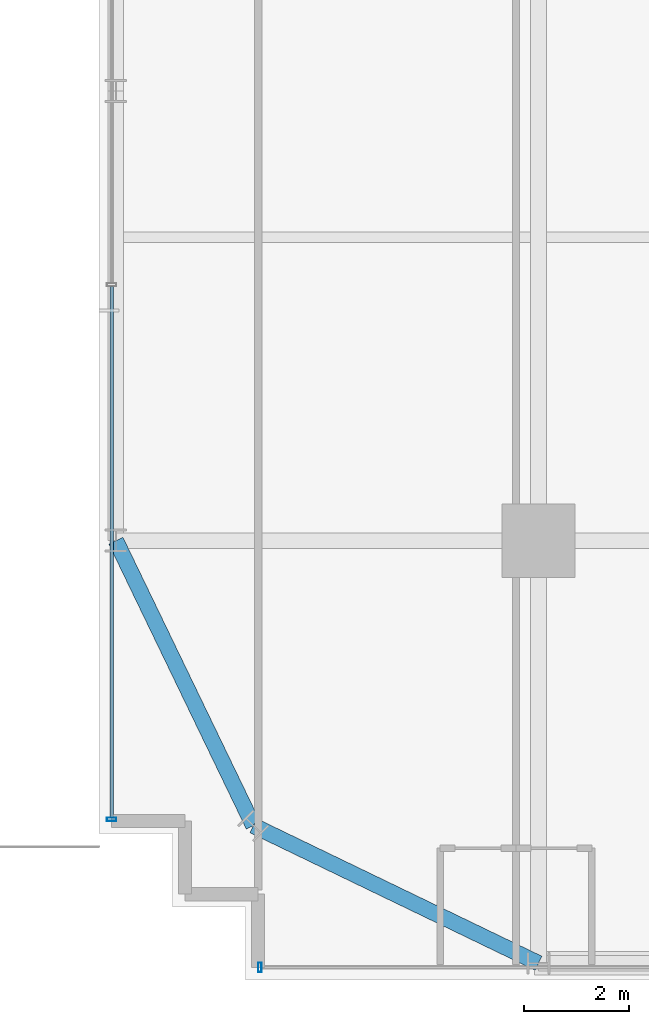
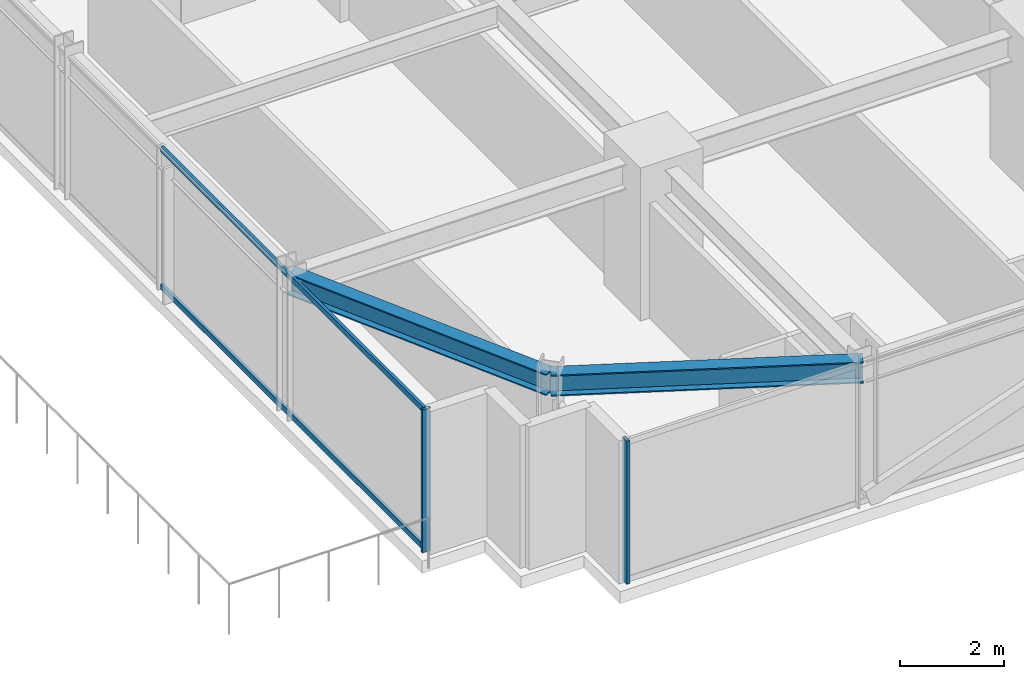
# One storey, part 3 of 39: 4 members, 2 beams, 2 elements without a shape of their own.
"""IFC4 building model written with IfcOpenShell, lengths in metres."""

from ifc_helpers import new_model, si_unit, direction, frame, origin, origin_2d, place, context, subcontext, project, spatial, hollow_rectangle, i_section, extrude, source, transform, mapped, material, material_profile, profile_set, type_object, element, aggregate, save


model = new_model("IFC4")

# Units and contexts
model_context = context("Model", 3, precision=1e-05, world=origin(), true_north=direction((0.0, 1.0)))
body_context = subcontext(model_context, "Body", "Model", "MODEL_VIEW")
ifc_project = project(units=[si_unit("LENGTHUNIT", "METRE"), si_unit("AREAUNIT", "SQUARE_METRE"), si_unit("VOLUMEUNIT", "CUBIC_METRE"), si_unit("PLANEANGLEUNIT", "RADIAN"), si_unit("MASSUNIT", "GRAM", prefix="KILO")], contexts=[model_context])

# Site, building, storey
site_placement = place(None, origin())
site = spatial("IfcSite", under=ifc_project, at=site_placement, CompositionType="ELEMENT")
building_placement = place(site_placement, origin())
building = spatial("IfcBuilding", under=site, at=building_placement, Name="Nahalor Promenade Grand Hotel", CompositionType="ELEMENT")
storey_placement = place(building_placement, frame((0.0, 0.0, 32.39990234375)))
storey = spatial("IfcBuildingStorey", under=building, at=storey_placement, Name="L06", CompositionType="ELEMENT", Elevation=32.39990234375)

# Beams
ifc_material_1 = material(Name="Steel S355JR", Category="steel")
ifc_material_profile_1 = material_profile(ifc_material_1, i_section(OverallWidth=0.3, OverallDepth=0.5, WebThickness=0.0145, FlangeThickness=0.028, at=origin_2d()), Name="HEB 500")
ifc_profile_set_1 = profile_set([ifc_material_profile_1], Name="Steel S355JR")
beam_type = type_object("IfcBeamType", Name="Beam-Spandrel-HEB500", PredefinedType="SPANDREL", material=ifc_profile_set_1)
shared_shape_1 = source(origin(), body_context, "Body", "SweptSolid", [
    extrude(i_section(OverallWidth=0.3, OverallDepth=0.5, WebThickness=0.0145, FlangeThickness=0.028, at=origin_2d()), origin(), (0.0, 0.0, 1.0), 6.051513671875),
])
for number, where, z_axis, x_axis, name in (
    (1, (-17.0, -25.080078125, 3.1201171875), (-0.900608818852, 0.434630596492, 0.0), (-0.434630596492, -0.900608818852, 0.0), "BM-L06-SPC-SW-1"),
    (2, (-22.449951171875, -22.449951171875, 3.1201171875), (-0.434630596492, 0.900608818852, 0.0), (-0.900608818852, -0.434630596492, 0.0), "BM-L06-SPC-SW-2"),
):
    element("IfcBeam", number, at=place(storey_placement, frame(where, z_axis=z_axis, x_axis=x_axis)), inside=storey, type_object=beam_type, Name=name, PredefinedType="SPANDREL", context=body_context, shape_type="MappedRepresentation", body=[
        mapped(shared_shape_1, transform((0.0, 0.0, 0.0), scale=1.0)),
    ])

# Curtain wall, member
ifc_material_2 = material(Name="Anodised Bronze Aluminium EN AW-6063 T6", Category="aluminium")
curtain_wall_type = type_object("IfcCurtainWallType", Name="CW2 Typical Hotel Flush Bronze Unitised Curtain Wall", PredefinedType="USERDEFINED", material=ifc_material_2)
curtain_wall_1_placement = place(storey_placement, origin())
curtain_wall_1 = element("IfcCurtainWall", 3, at=curtain_wall_1_placement, inside=storey, type_object=curtain_wall_type, Name="L06 Curtain Wall CW-L06-S-1", ObjectType="UNITISED_CURTAIN_WALL", PredefinedType="USERDEFINED")
ifc_material_profile_2 = material_profile(ifc_material_2, hollow_rectangle(XDim=0.065, YDim=0.18, WallThickness=0.004, at=origin_2d()), Name="CWM 65x180x4")
ifc_profile_set_2 = profile_set([ifc_material_profile_2], Name="Anodised Bronze Aluminium EN AW-6063 T6")
member_type_1 = type_object("IfcMemberType", Name="CWM2 Typical Bronze Mullion 65x180", PredefinedType="MULLION", material=ifc_profile_set_2)
shared_shape_2 = source(origin(), body_context, "Body", "SweptSolid", [
    extrude(hollow_rectangle(XDim=0.065, YDim=0.18, WallThickness=0.004, at=origin_2d()), origin(), (0.0, 0.0, 1.0), 3.3701171875),
])
member_1_placement = place(storey_placement, frame((-22.327392578125, -25.159912109375, 0.0), z_axis=(0.0, 0.0, 1.0), x_axis=(1.0, 0.0, 0.0)))
member_1 = element("IfcMember", 4, at=member_1_placement, type_object=member_type_1, Name="CW-L06-S-1 Mullion 0", PredefinedType="MULLION", context=body_context, shape_type="MappedRepresentation", body=[
    mapped(shared_shape_2, transform((0.0, 0.0, 0.0), scale=1.0)),
])
aggregate(curtain_wall_1, [member_1])

# Curtain wall, members
curtain_wall_2_placement = place(storey_placement, origin())
curtain_wall_2 = element("IfcCurtainWall", 5, at=curtain_wall_2_placement, inside=storey, type_object=curtain_wall_type, Name="L06 Curtain Wall CW-L06-W-1", ObjectType="UNITISED_CURTAIN_WALL", PredefinedType="USERDEFINED")
member_2_placement = place(storey_placement, frame((-25.159912109375, -22.327392578125, 0.0), z_axis=(0.0, 0.0, 1.0), x_axis=(0.0, 1.0, 0.0)))
member_2 = element("IfcMember", 6, at=member_2_placement, type_object=member_type_1, Name="CW-L06-W-1 Mullion 0", PredefinedType="MULLION", context=body_context, shape_type="MappedRepresentation", body=[
    mapped(shared_shape_2, transform((0.0, 0.0, 0.0), scale=1.0)),
])
ifc_material_profile_3 = material_profile(ifc_material_2, hollow_rectangle(XDim=0.065, YDim=0.13, WallThickness=0.004, at=origin_2d()), Name="CWT 65x130x4")
ifc_profile_set_3 = profile_set([ifc_material_profile_3], Name="Anodised Bronze Aluminium EN AW-6063 T6")
member_type_2 = type_object("IfcMemberType", Name="CWT2 Typical Bronze Transom 65x130", PredefinedType="USERDEFINED", material=ifc_profile_set_3)
shared_shape_3 = source(origin(), body_context, "Body", "SweptSolid", [
    extrude(hollow_rectangle(XDim=0.065, YDim=0.13, WallThickness=0.004, at=origin_2d()), origin(), (0.0, 0.0, 1.0), 10.15576171875),
])
member_3_placement = place(storey_placement, frame((-25.159912109375, -22.294921875, 0.065185546875), z_axis=(0.0, 1.0, 0.0), x_axis=(-1.0, 0.0, 0.0)))
member_3 = element("IfcMember", 7, at=member_3_placement, type_object=member_type_2, Name="CW-L06-W-1 Transom 0-0", ObjectType="TRANSOM", PredefinedType="USERDEFINED", context=body_context, shape_type="MappedRepresentation", body=[
    mapped(shared_shape_3, transform((0.0, 0.0, 0.0), scale=1.0)),
])
member_4_placement = place(storey_placement, frame((-25.159912109375, -22.294921875, 3.30517578125), z_axis=(0.0, 1.0, 0.0), x_axis=(-1.0, 0.0, 0.0)))
member_4 = element("IfcMember", 8, at=member_4_placement, type_object=member_type_2, Name="CW-L06-W-1 Transom 0-1", ObjectType="TRANSOM", PredefinedType="USERDEFINED", context=body_context, shape_type="MappedRepresentation", body=[
    mapped(shared_shape_3, transform((0.0, 0.0, 0.0), scale=1.0)),
])
aggregate(curtain_wall_2, [member_2, member_3, member_4])

save(model, "model.ifc")
